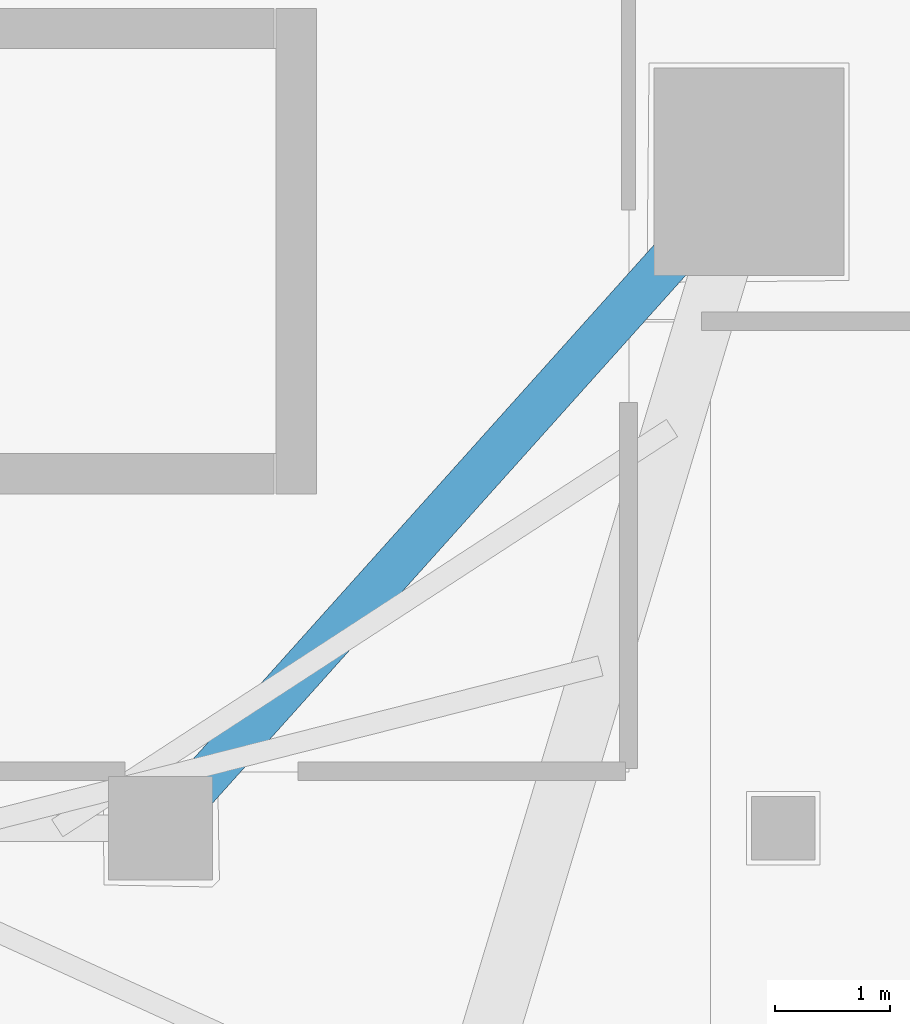
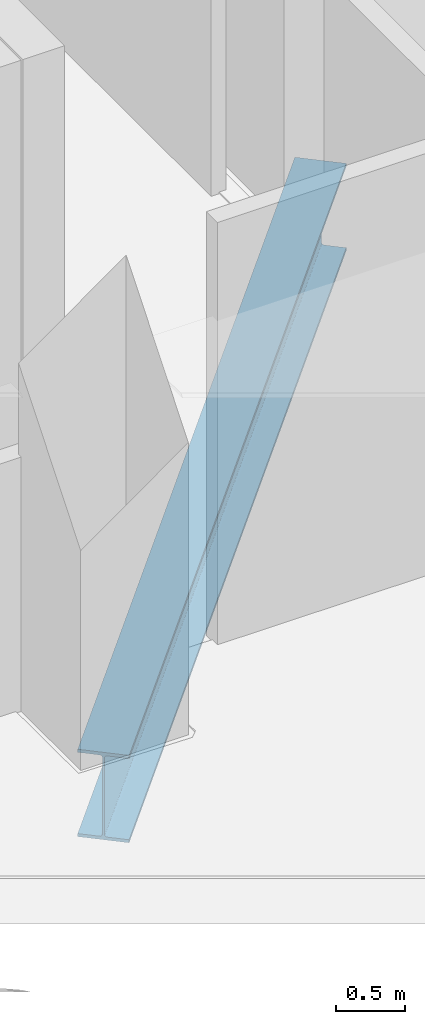
# One storey, part 13 of 34: 1 beam.
"""IFC4 building model written with IfcOpenShell, lengths in metres."""

import ifcopenshell
import ifcopenshell.guid

model = None  # the IFC model being written
_history = None  # IfcOwnerHistory: only IFC2X3 demands one
_inside = {}  # id of a spatial element -> (the spatial element, [elements in it])
_under = {}  # id of a project, library or spatial element -> (it, [spatial elements below it])
_declared = {}  # id of a project -> (the project, [libraries it declares])
_typed = {}  # id of a type object -> (the type object, [elements of that type])
_made_of = {}  # id of a material, layer set ... -> (it, [elements and type objects made of it])


def new_model(schema):
    """Start an empty IFC model of exactly this schema.

    Asked for "IFC4X3", IfcOpenShell would pick the latest addendum, in which some entities
    have other attributes; the version numbers below select the first issue.
    IFC2X3 requires an IfcOwnerHistory on every rooted entity: one is made here for all.
    """
    global model, _history
    if schema == "IFC4X3":
        model = ifcopenshell.file(schema_version=(4, 3, 0, 0))
    else:
        model = ifcopenshell.file(schema=schema)
    _inside.clear()
    _under.clear()
    _declared.clear()
    _typed.clear()
    _made_of.clear()
    _history = None
    if model.schema == "IFC2X3":
        org = make("IfcOrganization", Name="unknown")
        user = make(
            "IfcPersonAndOrganization",
            ThePerson=make("IfcPerson", FamilyName="unknown"),
            TheOrganization=org,
        )
        app = make(
            "IfcApplication",
            ApplicationDeveloper=org,
            Version="unknown",
            ApplicationFullName="unknown",
            ApplicationIdentifier="unknown",
        )
        _history = make(
            "IfcOwnerHistory",
            OwningUser=user,
            OwningApplication=app,
            ChangeAction="ADDED",
            CreationDate=0,
        )
    return model


def make(cls, **values):
    """One entity of the class cls with the attributes given. An attribute that is None is left unset."""
    return model.create_entity(
        cls, **{name: value for name, value in values.items() if value is not None}
    )


def rooted(cls, **values):
    """An entity with a GlobalId (a new one), such as an element, a storey or a relation."""
    return make(cls, GlobalId=ifcopenshell.guid.new(), OwnerHistory=_history, **values)


def si_unit(unit_type, name, prefix=None):
    """IfcSIUnit, for example si_unit("LENGTHUNIT", "METRE", prefix="MILLI")."""
    return make("IfcSIUnit", UnitType=unit_type, Prefix=prefix, Name=name)


def assignment(units):
    """IfcUnitAssignment: the units of a project."""
    return None if units is None else make("IfcUnitAssignment", Units=units)


def point(xyz):
    """IfcCartesianPoint."""
    return None if xyz is None else make("IfcCartesianPoint", Coordinates=xyz)


def direction(xyz):
    """IfcDirection."""
    return None if xyz is None else make("IfcDirection", DirectionRatios=xyz)


def frame(location, z_axis=None, x_axis=None):
    """IfcAxis2Placement3D, a coordinate frame: its origin and axes. An axis left out is left unset."""
    return make(
        "IfcAxis2Placement3D",
        Location=point(location),
        Axis=direction(z_axis),
        RefDirection=direction(x_axis),
    )


def frame_2d(location, x_axis=None):
    """IfcAxis2Placement2D, a coordinate frame in the plane: its origin and x axis."""
    return make(
        "IfcAxis2Placement2D", Location=point(location), RefDirection=direction(x_axis)
    )


def origin():
    """The frame at (0, 0, 0) with its axes left unset."""
    return frame((0.0, 0.0, 0.0))


def origin_2d():
    """The frame at (0, 0) in the plane with its x axis left unset."""
    return frame_2d((0.0, 0.0))


def place(relative_to, where):
    """IfcLocalPlacement: puts the frame where relative to a parent placement (None: the world)."""
    return make(
        "IfcLocalPlacement", PlacementRelTo=relative_to, RelativePlacement=where
    )


def context(
    kind, dimensions, precision=None, world=None, true_north=None, identifier=None
):
    """IfcGeometricRepresentationContext, for example the 3D "Model" context."""
    return make(
        "IfcGeometricRepresentationContext",
        ContextIdentifier=identifier,
        ContextType=kind,
        CoordinateSpaceDimension=dimensions,
        Precision=precision,
        WorldCoordinateSystem=world,
        TrueNorth=true_north,
    )


def subcontext(parent, identifier, kind, view, scale=None):
    """IfcGeometricRepresentationSubContext, for example "Body" below "Model"."""
    return make(
        "IfcGeometricRepresentationSubContext",
        ContextIdentifier=identifier,
        ContextType=kind,
        ParentContext=parent,
        TargetScale=scale,
        TargetView=view,
    )


def project(units=None, contexts=None):
    """IfcProject with its units and contexts."""
    return rooted(
        "IfcProject",
        Name="project",
        RepresentationContexts=contexts,
        UnitsInContext=assignment(units),
    )


def spatial(cls, under=None, at=None, **own):
    """A site, building, storey or space (cls), placed at a placement, below another one or the project."""
    s = rooted(cls, ObjectPlacement=at, **own)
    if under is not None:
        _under.setdefault(under.id(), (under, []))[1].append(s)
    return s


def profile(cls, at=None, kind="AREA", **sizes):
    """A parametric profile (cls). Its sizes go by their IFC names, for example OverallWidth=200.0."""
    return make(cls, ProfileType=kind, Position=at, **sizes)


def i_section(**sizes):
    """IfcIShapeProfileDef."""
    return profile("IfcIShapeProfileDef", **sizes)


def extrude(swept, where, along, depth):
    """IfcExtrudedAreaSolid: the profile swept, set in the frame where, extruded along a direction by depth."""
    return make(
        "IfcExtrudedAreaSolid",
        SweptArea=swept,
        Position=where,
        ExtrudedDirection=direction(along),
        Depth=depth,
    )


def shape(context_of_items, identifier, shape_type, items):
    """IfcShapeRepresentation: the items that make up one representation, for example the "Body"."""
    return make(
        "IfcShapeRepresentation",
        ContextOfItems=context_of_items,
        RepresentationIdentifier=identifier,
        RepresentationType=shape_type,
        Items=items,
    )


def material(Name=None, Category=None):
    """IfcMaterial."""
    return make("IfcMaterial", Name=Name, Category=Category)


def material_profile(
    of_material, cross_section, Name=None, Category=None, Priority=None
):
    """IfcMaterialProfile: a cross section and its material."""
    return make(
        "IfcMaterialProfile",
        Name=Name,
        Material=of_material,
        Profile=cross_section,
        Priority=Priority,
        Category=Category,
    )


def profile_set(profiles, Name=None, composite=None):
    """IfcMaterialProfileSet."""
    return make(
        "IfcMaterialProfileSet",
        Name=Name,
        MaterialProfiles=profiles,
        CompositeProfile=composite,
    )


def made_of(thing, what):
    """Note that an element or type object is made of a material, layer set ...; save() writes the relation."""
    if what is not None:
        _made_of.setdefault(what.id(), (what, []))[1].append(thing)
    return thing


def type_object(cls, material=None, **own):
    """A type object (cls), such as IfcWallType, which elements share."""
    return made_of(rooted(cls, **own), material)


def element(
    cls,
    number,
    at=None,
    inside=None,
    cuts=None,
    type_object=None,
    material=None,
    context=None,
    identifier="Body",
    shape_type=None,
    held_by="IfcProductDefinitionShape",
    body=None,
    shapes=None,
    **own,
):
    """One element of the class cls, such as IfcWall. Its Tag is "e" and its number.

    at: its placement. inside: the storey or other place that contains it. cuts: it is an
    opening in that element (IfcRelVoidsElement). A single representation is given by context,
    identifier, shape_type and body (its items); several are given by shapes. held_by: the class
    of the entity that holds the representations. save() writes the other relations.
    """
    e = rooted(cls, Tag="e%d" % number, ObjectPlacement=at, **own)
    if body is not None:
        shapes = [shape(context, identifier, shape_type, body)]
    if shapes is not None:
        e.Representation = make(held_by, Representations=shapes)
    if inside is not None:
        _inside.setdefault(inside.id(), (inside, []))[1].append(e)
    if cuts is not None:
        rooted(
            "IfcRelVoidsElement", RelatingBuildingElement=cuts, RelatedOpeningElement=e
        )
    if type_object is not None:
        _typed.setdefault(type_object.id(), (type_object, []))[1].append(e)
    return made_of(e, material)


def aggregate(whole, parts):
    """IfcRelAggregates: a whole, such as a stair, and the parts it consists of."""
    return rooted("IfcRelAggregates", RelatingObject=whole, RelatedObjects=parts)


def save(model, path):
    """Write the relations noted so far, then the file.

    IfcRelAggregates (storeys below a building ...), IfcRelContainedInSpatialStructure (elements
    in a storey), IfcRelDefinesByType, IfcRelAssociatesMaterial and IfcRelDeclares: one each for
    every whole, place, type object, material and project.
    """
    for whole, parts in _under.values():
        aggregate(whole, parts)
    for where, things in _inside.values():
        rooted(
            "IfcRelContainedInSpatialStructure",
            RelatedElements=things,
            RelatingStructure=where,
        )
    for kind, things in _typed.values():
        rooted("IfcRelDefinesByType", RelatedObjects=things, RelatingType=kind)
    for what, things in _made_of.values():
        rooted("IfcRelAssociatesMaterial", RelatedObjects=things, RelatingMaterial=what)
    for by, libraries in _declared.values():
        rooted("IfcRelDeclares", RelatingContext=by, RelatedDefinitions=libraries)
    model.write(path)


model = new_model("IFC4")

# Units and contexts
model_context = context("Model", 3, precision=1e-05, world=origin(), true_north=direction((0.0, 1.0)))
body_context = subcontext(model_context, "Body", "Model", "MODEL_VIEW")
ifc_project = project(units=[si_unit("LENGTHUNIT", "METRE"), si_unit("AREAUNIT", "SQUARE_METRE"), si_unit("VOLUMEUNIT", "CUBIC_METRE"), si_unit("PLANEANGLEUNIT", "RADIAN"), si_unit("MASSUNIT", "GRAM", prefix="KILO")], contexts=[model_context])

# Site, building, storey
site_placement = place(None, origin())
site = spatial("IfcSite", under=ifc_project, at=site_placement, CompositionType="ELEMENT")
building_placement = place(site_placement, origin())
building = spatial("IfcBuilding", under=site, at=building_placement, Name="Qorvath Tower", CompositionType="ELEMENT")
storey_placement = place(building_placement, frame((0.0, 0.0, 245.550048828125)))
storey = spatial("IfcBuildingStorey", under=building, at=storey_placement, Name="L57", CompositionType="ELEMENT", Elevation=245.550048828125)

# Beam
ifc_material = material(Name="Steel ASTM A992 Grade 50", Category="steel")
ifc_material_profile = material_profile(ifc_material, i_section(OverallWidth=0.381103515625, OverallDepth=0.77294921875, WebThickness=0.0166015625, FlangeThickness=0.027099609375, FilletRadius=0.01904296875, at=origin_2d()), Name="W30x173")
ifc_profile_set = profile_set([ifc_material_profile], Name="Steel ASTM A992 Grade 50")
beam_type = type_object("IfcBeamType", Name="BM-FG3", PredefinedType="BEAM", material=ifc_profile_set)
beam_placement = place(storey_placement, frame((-17.199951171875, -11.449951171875, -0.656494140625), z_axis=(0.667543184261, 0.744571082669, 0.0), x_axis=(-0.744571082669, 0.667543184261, 0.0)))
element("IfcBeam", 1, at=beam_placement, inside=storey, type_object=beam_type, Name="Radial Floor Girder CC3-MC4 L57", PredefinedType="BEAM", context=body_context, shape_type="SweptSolid", body=[
    extrude(i_section(OverallWidth=0.381103515625, OverallDepth=0.77294921875, WebThickness=0.0166015625, FlangeThickness=0.027099609375, FilletRadius=0.01904296875, at=origin_2d()), origin(), (0.0, 0.0, 1.0), 7.644775390625),
])

save(model, "model.ifc")
